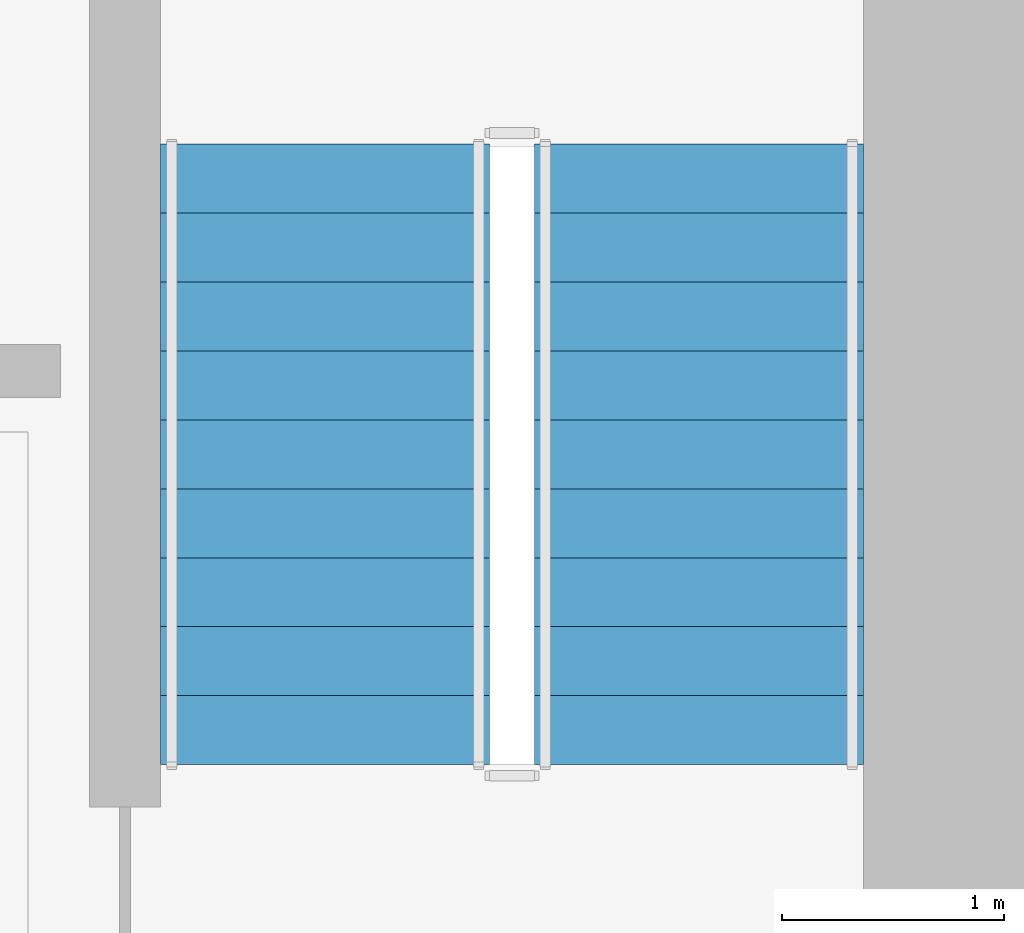
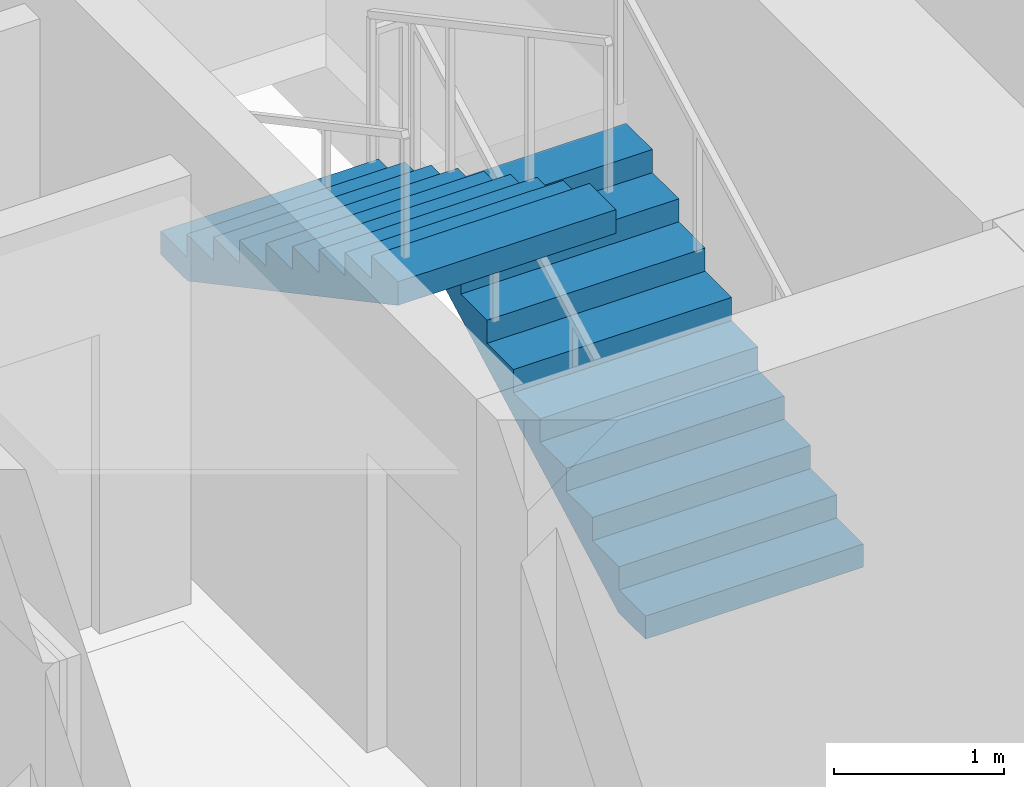
# One storey, part 7 of 11: 2 stair flights, 1 element without a shape of its own.
"""IFC4 building model written with IfcOpenShell, lengths in metres."""

from ifc_helpers import new_model, si_unit, direction, frame, origin, place, context, subcontext, project, spatial, polyline, outline, extrude, material, type_object, element, aggregate, save


model = new_model("IFC4")

# Units and contexts
model_context = context("Model", 3, precision=1e-05, world=origin(), true_north=direction((0.0, 1.0)))
body_context = subcontext(model_context, "Body", "Model", "MODEL_VIEW")
ifc_project = project(units=[si_unit("LENGTHUNIT", "METRE"), si_unit("AREAUNIT", "SQUARE_METRE"), si_unit("VOLUMEUNIT", "CUBIC_METRE"), si_unit("PLANEANGLEUNIT", "RADIAN"), si_unit("MASSUNIT", "GRAM", prefix="KILO")], contexts=[model_context])

# Site, building, storey
site_placement = place(None, origin())
site = spatial("IfcSite", under=ifc_project, at=site_placement, CompositionType="ELEMENT")
building_placement = place(site_placement, origin())
building = spatial("IfcBuilding", under=site, at=building_placement, Name="Solanera Arch Residences", CompositionType="ELEMENT")
storey_placement = place(building_placement, frame((0.0, 0.0, 180.199951171875)))
storey = spatial("IfcBuildingStorey", under=building, at=storey_placement, Name="L52", CompositionType="ELEMENT", Elevation=180.199951171875)

# Stair, stair flights
ifc_material_1 = material(Name="Concrete C40/50 (f'c = 45 MPa)", Category="concrete")
stair_type = type_object("IfcStairType", Name="Tower Dogleg Exit Stair 1480", PredefinedType="HALF_TURN_STAIR", material=ifc_material_1)
stair_placement = place(storey_placement, origin())
stair = element("IfcStair", 1, at=stair_placement, inside=storey, type_object=stair_type, Name="L52 Tower Core Exit Stair 2", PredefinedType="HALF_TURN_STAIR")
ifc_material_2 = material(Name="Concrete C40/50 (f'c = 45 MPa)", Category="concrete")
stair_flight_type = type_object("IfcStairFlightType", Name="Tower Precast Stair Flight 1480", PredefinedType="STRAIGHT", material=ifc_material_2)
stair_flight_1_placement = place(storey_placement, frame((35.320068359375, 32.47998046875, 0.0), z_axis=(0.0, 0.0, 1.0), x_axis=(0.0, 1.0, 0.0)))
stair_flight_1 = element("IfcStairFlight", 2, at=stair_flight_1_placement, type_object=stair_flight_type, Name="ST-T2 flight 1", NumberOfRisers=10, NumberOfTreads=9, PredefinedType="STRAIGHT", RiserHeight=0.166, TreadLength=0.31, context=body_context, shape_type="SweptSolid", body=[
    extrude(outline(polyline([(0.0, 0.0), (0.0, 0.166015625), (0.31005859375, 0.166015625), (0.31005859375, 0.33203125), (0.6201171875, 0.33203125), (0.6201171875, 0.498046875), (0.929931640625, 0.498046875), (0.929931640625, 0.6640625), (1.239990234375, 0.6640625), (1.239990234375, 0.830078125), (1.550048828125, 0.830078125), (1.550048828125, 0.99609375), (1.860107421875, 0.99609375), (1.860107421875, 1.162109375), (2.169921875, 1.162109375), (2.169921875, 1.327880859375), (2.47998046875, 1.327880859375), (2.47998046875, 1.493896484375), (2.7900390625, 1.493896484375), (2.7900390625, 1.659912109375), (2.7900390625, 1.323974609375), (0.317626953125, 0.0), (0.0, 0.0)])), frame((0.0, 0.739990234375, 0.0), z_axis=(0.0, -1.0, 0.0), x_axis=(1.0, 0.0, 0.0)), (0.0, 0.0, 1.0), 1.47998046875),
])
stair_flight_2_placement = place(storey_placement, frame((33.639892578125, 35.27001953125, 1.66015625), z_axis=(0.0, 0.0, 1.0), x_axis=(0.0, -1.0, 0.0)))
stair_flight_2 = element("IfcStairFlight", 3, at=stair_flight_2_placement, type_object=stair_flight_type, Name="ST-T2 flight 2", NumberOfRisers=10, NumberOfTreads=9, PredefinedType="STRAIGHT", RiserHeight=0.166, TreadLength=0.31, context=body_context, shape_type="SweptSolid", body=[
    extrude(outline(polyline([(0.0, 0.0), (0.0, 0.166015625), (0.31005859375, 0.166015625), (0.31005859375, 0.33203125), (0.6201171875, 0.33203125), (0.6201171875, 0.498046875), (0.929931640625, 0.498046875), (0.929931640625, 0.6640625), (1.239990234375, 0.6640625), (1.239990234375, 0.830078125), (1.550048828125, 0.830078125), (1.550048828125, 0.99609375), (1.860107421875, 0.99609375), (1.860107421875, 1.162109375), (2.169921875, 1.162109375), (2.169921875, 1.327880859375), (2.47998046875, 1.327880859375), (2.47998046875, 1.493896484375), (2.7900390625, 1.493896484375), (2.7900390625, 1.659912109375), (2.7900390625, 1.323974609375), (0.317626953125, 0.0), (0.0, 0.0)])), frame((0.0, 0.739990234375, 0.0), z_axis=(0.0, -1.0, 0.0), x_axis=(1.0, 0.0, 0.0)), (0.0, 0.0, 1.0), 1.47998046875),
])
aggregate(stair, [stair_flight_1, stair_flight_2])

save(model, "model.ifc")
